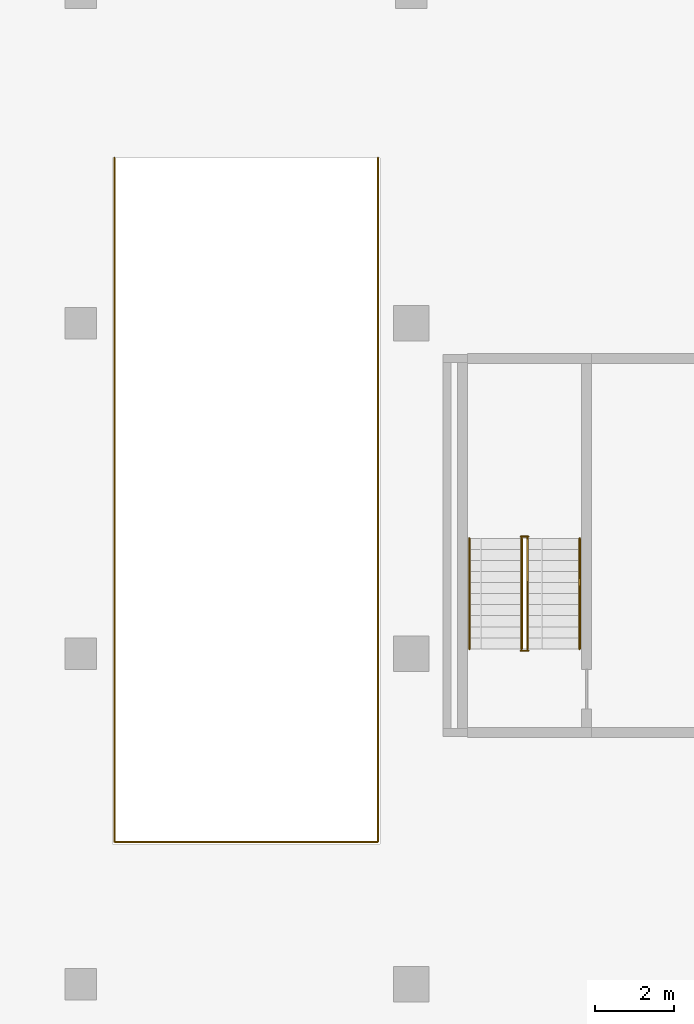
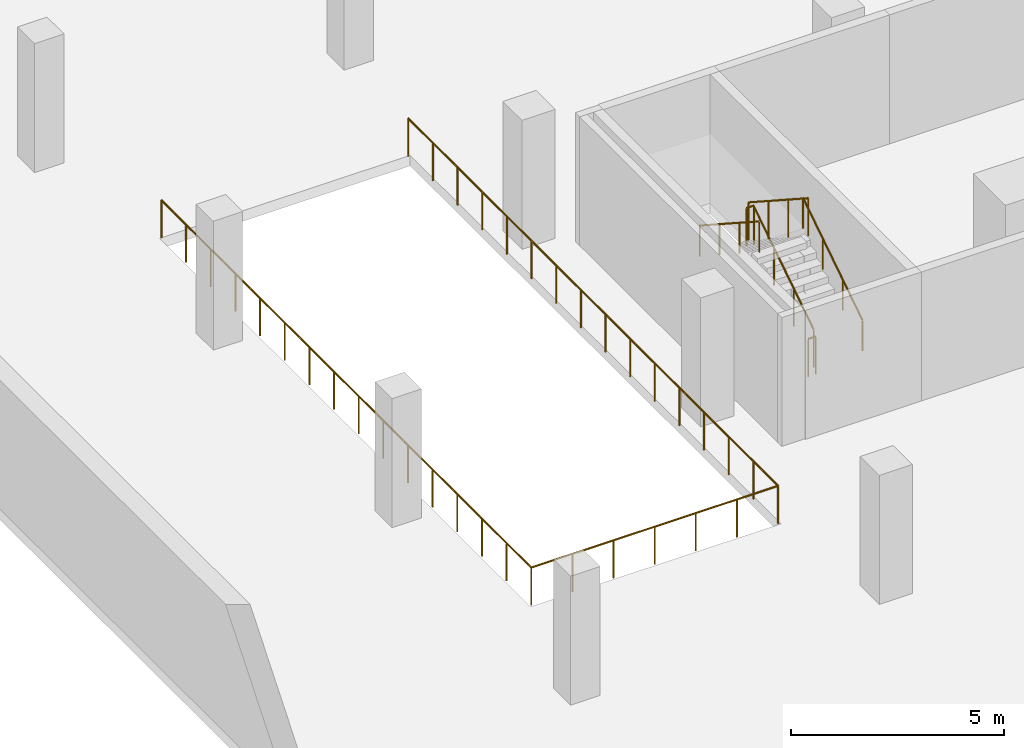
# One storey, part 17 of 18: 7 railings.
"""IFC4 building model written with IfcOpenShell, lengths in metres."""

from ifc_helpers import new_model, si_unit, direction, frame, origin, origin_2d, place, context, subcontext, project, spatial, circle, extrude, material, type_object, element, save


model = new_model("IFC4")

# Units and contexts
model_context = context("Model", 3, precision=1e-05, world=origin(), true_north=direction((0.0, 1.0)))
body_context = subcontext(model_context, "Body", "Model", "MODEL_VIEW")
ifc_project = project(units=[si_unit("LENGTHUNIT", "METRE"), si_unit("AREAUNIT", "SQUARE_METRE"), si_unit("VOLUMEUNIT", "CUBIC_METRE"), si_unit("PLANEANGLEUNIT", "RADIAN"), si_unit("MASSUNIT", "GRAM", prefix="KILO")], contexts=[model_context])

# Site, building, storey
site_placement = place(None, origin())
site = spatial("IfcSite", under=ifc_project, at=site_placement, CompositionType="ELEMENT")
building_placement = place(site_placement, origin())
building = spatial("IfcBuilding", under=site, at=building_placement, Name="Cantera Rosa Tower", CompositionType="ELEMENT")
storey_placement = place(building_placement, frame((0.0, 0.0, -9.0)))
storey = spatial("IfcBuildingStorey", under=building, at=storey_placement, Name="B2", CompositionType="ELEMENT", Elevation=-9.0)

# Railings
ifc_material_1 = material(Name="Steel S355J2 (EN 10025-2)", Category="steel")
railing_type_1 = type_object("IfcRailingType", Name="Edge guard 1100", PredefinedType="GUARDRAIL", material=ifc_material_1)
railing_1_placement = place(storey_placement, frame((-41.14990234375, 33.60009765625, 0.0)))
element("IfcRailing", 1, at=railing_1_placement, inside=storey, type_object=railing_type_1, Name="Guard round ramp opening B2", PredefinedType="GUARDRAIL", context=body_context, shape_type="SweptSolid", body=[
    extrude(circle(Radius=0.02392578125, at=origin_2d()), frame((0.0, 0.0, 1.076171875), z_axis=(0.0, -1.0, 0.0), x_axis=(1.0, 0.0, 0.0)), (0.0, 0.0, 1.0), 17.38330078125),
    extrude(circle(Radius=0.02392578125, at=origin_2d()), frame((0.0, -17.38330078125, 1.076171875), z_axis=(1.0, 0.0, 0.0), x_axis=(0.0, 1.0, 0.0)), (0.0, 0.0, 1.0), 6.699951171875),
    extrude(circle(Radius=0.02392578125, at=origin_2d()), frame((6.699951171875, -17.38330078125, 1.076171875), z_axis=(0.0, 1.0, 0.0), x_axis=(-1.0, 0.0, 0.0)), (0.0, 0.0, 1.0), 17.38330078125),
    extrude(circle(Radius=0.02099609375, at=origin_2d()), origin(), (0.0, 0.0, 1.0), 1.052001953125),
    extrude(circle(Radius=0.02099609375, at=origin_2d()), frame((0.0, -1.158935546875, 0.0)), (0.0, 0.0, 1.0), 1.052001953125),
    extrude(circle(Radius=0.02099609375, at=origin_2d()), frame((0.0, -2.31787109375, 0.0)), (0.0, 0.0, 1.0), 1.052001953125),
    extrude(circle(Radius=0.02099609375, at=origin_2d()), frame((0.0, -3.4765625, 0.0)), (0.0, 0.0, 1.0), 1.052001953125),
    extrude(circle(Radius=0.02099609375, at=origin_2d()), frame((0.0, -4.635498046875, 0.0)), (0.0, 0.0, 1.0), 1.052001953125),
    extrude(circle(Radius=0.02099609375, at=origin_2d()), frame((0.0, -5.79443359375, 0.0)), (0.0, 0.0, 1.0), 1.052001953125),
    extrude(circle(Radius=0.02099609375, at=origin_2d()), frame((0.0, -6.953369140625, 0.0)), (0.0, 0.0, 1.0), 1.052001953125),
    extrude(circle(Radius=0.02099609375, at=origin_2d()), frame((0.0, -8.1123046875, 0.0)), (0.0, 0.0, 1.0), 1.052001953125),
    extrude(circle(Radius=0.02099609375, at=origin_2d()), frame((0.0, -9.27099609375, 0.0)), (0.0, 0.0, 1.0), 1.052001953125),
    extrude(circle(Radius=0.02099609375, at=origin_2d()), frame((0.0, -10.429931640625, 0.0)), (0.0, 0.0, 1.0), 1.052001953125),
    extrude(circle(Radius=0.02099609375, at=origin_2d()), frame((0.0, -11.5888671875, 0.0)), (0.0, 0.0, 1.0), 1.052001953125),
    extrude(circle(Radius=0.02099609375, at=origin_2d()), frame((0.0, -12.747802734375, 0.0)), (0.0, 0.0, 1.0), 1.052001953125),
    extrude(circle(Radius=0.02099609375, at=origin_2d()), frame((0.0, -13.90673828125, 0.0)), (0.0, 0.0, 1.0), 1.052001953125),
    extrude(circle(Radius=0.02099609375, at=origin_2d()), frame((0.0, -15.0654296875, 0.0)), (0.0, 0.0, 1.0), 1.052001953125),
    extrude(circle(Radius=0.02099609375, at=origin_2d()), frame((0.0, -16.224365234375, 0.0)), (0.0, 0.0, 1.0), 1.052001953125),
    extrude(circle(Radius=0.02099609375, at=origin_2d()), frame((0.0, -17.38330078125, 0.0)), (0.0, 0.0, 1.0), 1.052001953125),
    extrude(circle(Radius=0.02099609375, at=origin_2d()), frame((1.11669921875, -17.38330078125, 0.0)), (0.0, 0.0, 1.0), 1.052001953125),
    extrude(circle(Radius=0.02099609375, at=origin_2d()), frame((2.2333984375, -17.38330078125, 0.0)), (0.0, 0.0, 1.0), 1.052001953125),
    extrude(circle(Radius=0.02099609375, at=origin_2d()), frame((3.35009765625, -17.38330078125, 0.0)), (0.0, 0.0, 1.0), 1.052001953125),
    extrude(circle(Radius=0.02099609375, at=origin_2d()), frame((4.466552734375, -17.38330078125, 0.0)), (0.0, 0.0, 1.0), 1.052001953125),
    extrude(circle(Radius=0.02099609375, at=origin_2d()), frame((5.583251953125, -17.38330078125, 0.0)), (0.0, 0.0, 1.0), 1.052001953125),
    extrude(circle(Radius=0.02099609375, at=origin_2d()), frame((6.699951171875, -17.38330078125, 0.0)), (0.0, 0.0, 1.0), 1.052001953125),
    extrude(circle(Radius=0.02099609375, at=origin_2d()), frame((6.699951171875, -16.224365234375, 0.0)), (0.0, 0.0, 1.0), 1.052001953125),
    extrude(circle(Radius=0.02099609375, at=origin_2d()), frame((6.699951171875, -15.0654296875, 0.0)), (0.0, 0.0, 1.0), 1.052001953125),
    extrude(circle(Radius=0.02099609375, at=origin_2d()), frame((6.699951171875, -13.90673828125, 0.0)), (0.0, 0.0, 1.0), 1.052001953125),
    extrude(circle(Radius=0.02099609375, at=origin_2d()), frame((6.699951171875, -12.747802734375, 0.0)), (0.0, 0.0, 1.0), 1.052001953125),
    extrude(circle(Radius=0.02099609375, at=origin_2d()), frame((6.699951171875, -11.5888671875, 0.0)), (0.0, 0.0, 1.0), 1.052001953125),
    extrude(circle(Radius=0.02099609375, at=origin_2d()), frame((6.699951171875, -10.429931640625, 0.0)), (0.0, 0.0, 1.0), 1.052001953125),
    extrude(circle(Radius=0.02099609375, at=origin_2d()), frame((6.699951171875, -9.27099609375, 0.0)), (0.0, 0.0, 1.0), 1.052001953125),
    extrude(circle(Radius=0.02099609375, at=origin_2d()), frame((6.699951171875, -8.1123046875, 0.0)), (0.0, 0.0, 1.0), 1.052001953125),
    extrude(circle(Radius=0.02099609375, at=origin_2d()), frame((6.699951171875, -6.953369140625, 0.0)), (0.0, 0.0, 1.0), 1.052001953125),
    extrude(circle(Radius=0.02099609375, at=origin_2d()), frame((6.699951171875, -5.79443359375, 0.0)), (0.0, 0.0, 1.0), 1.052001953125),
    extrude(circle(Radius=0.02099609375, at=origin_2d()), frame((6.699951171875, -4.635498046875, 0.0)), (0.0, 0.0, 1.0), 1.052001953125),
    extrude(circle(Radius=0.02099609375, at=origin_2d()), frame((6.699951171875, -3.4765625, 0.0)), (0.0, 0.0, 1.0), 1.052001953125),
    extrude(circle(Radius=0.02099609375, at=origin_2d()), frame((6.699951171875, -2.31787109375, 0.0)), (0.0, 0.0, 1.0), 1.052001953125),
    extrude(circle(Radius=0.02099609375, at=origin_2d()), frame((6.699951171875, -1.158935546875, 0.0)), (0.0, 0.0, 1.0), 1.052001953125),
    extrude(circle(Radius=0.02099609375, at=origin_2d()), frame((6.699951171875, 0.0, 0.0)), (0.0, 0.0, 1.0), 1.052001953125),
])
ifc_material_2 = material(Name="Steel S355J2 (EN 10025-2)", Category="steel")
railing_type_2 = type_object("IfcRailingType", Name="STAIR GUARD 1100", PredefinedType="GUARDRAIL", material=ifc_material_2)
railing_2_placement = place(storey_placement, frame((-30.65087890625, 21.125, 0.181884765625)))
element("IfcRailing", 2, at=railing_2_placement, inside=storey, type_object=railing_type_2, Name="B2 ST-NW stair guard 1", PredefinedType="GUARDRAIL", context=body_context, shape_type="SweptSolid", body=[
    extrude(circle(Radius=0.02392578125, at=origin_2d()), frame((0.0, 0.0, 1.076171875), z_axis=(0.0, 0.838705829183, 0.544584733623), x_axis=(-1.0, 0.0, 0.0)), (0.0, 0.0, 1.0), 3.338623046875),
    extrude(circle(Radius=0.02099609375, at=origin_2d()), origin(), (0.0, 0.0, 1.0), 1.052001953125),
    extrude(circle(Radius=0.02099609375, at=origin_2d()), frame((0.0, 0.933349609375, 0.60595703125)), (0.0, 0.0, 1.0), 1.052001953125),
    extrude(circle(Radius=0.02099609375, at=origin_2d()), frame((0.0, 1.86669921875, 1.212158203125)), (0.0, 0.0, 1.0), 1.052001953125),
    extrude(circle(Radius=0.02099609375, at=origin_2d()), frame((0.0, 2.800048828125, 1.818115234375)), (0.0, 0.0, 1.0), 1.052001953125),
])
railing_3_placement = place(storey_placement, frame((-30.625, 23.97509765625, 2.0)))
element("IfcRailing", 3, at=railing_3_placement, inside=storey, type_object=railing_type_2, Name="B2 ST-NW stair guard 2", PredefinedType="GUARDRAIL", context=body_context, shape_type="SweptSolid", body=[
    extrude(circle(Radius=0.02392578125, at=origin_2d()), frame((0.0, 0.0, 1.076171875), z_axis=(-1.0, 0.0, 0.0), x_axis=(0.0, -1.0, 0.0)), (0.0, 0.0, 1.0), 0.199951171875),
    extrude(circle(Radius=0.02099609375, at=origin_2d()), origin(), (0.0, 0.0, 1.0), 1.052001953125),
    extrude(circle(Radius=0.02099609375, at=origin_2d()), frame((-0.199951171875, 0.0, 0.0)), (0.0, 0.0, 1.0), 1.052001953125),
])
railing_4_placement = place(storey_placement, frame((-30.799072265625, 23.925048828125, 2.181884765625)))
element("IfcRailing", 4, at=railing_4_placement, inside=storey, type_object=railing_type_2, Name="B2 ST-NW stair guard 3", PredefinedType="GUARDRAIL", context=body_context, shape_type="SweptSolid", body=[
    extrude(circle(Radius=0.02392578125, at=origin_2d()), frame((0.0, 0.0, 1.076171875), z_axis=(0.0, -0.838705829183, 0.544584733623), x_axis=(1.0, 0.0, 0.0)), (0.0, 0.0, 1.0), 3.338623046875),
    extrude(circle(Radius=0.02099609375, at=origin_2d()), origin(), (0.0, 0.0, 1.0), 1.052001953125),
    extrude(circle(Radius=0.02099609375, at=origin_2d()), frame((0.0, -0.933349609375, 0.60595703125)), (0.0, 0.0, 1.0), 1.052001953125),
    extrude(circle(Radius=0.02099609375, at=origin_2d()), frame((0.0, -1.86669921875, 1.212158203125)), (0.0, 0.0, 1.0), 1.052001953125),
    extrude(circle(Radius=0.02099609375, at=origin_2d()), frame((0.0, -2.800048828125, 1.818115234375)), (0.0, 0.0, 1.0), 1.052001953125),
])
railing_5_placement = place(storey_placement, frame((-30.625, 21.074951171875, 0.0)))
element("IfcRailing", 5, at=railing_5_placement, inside=storey, type_object=railing_type_2, Name="B2 ST-NW stair guard 4", PredefinedType="GUARDRAIL", context=body_context, shape_type="SweptSolid", body=[
    extrude(circle(Radius=0.02392578125, at=origin_2d()), frame((0.0, 0.0, 1.076171875), z_axis=(-1.0, 0.0, 0.0), x_axis=(0.0, -1.0, 0.0)), (0.0, 0.0, 1.0), 0.199951171875),
    extrude(circle(Radius=0.02099609375, at=origin_2d()), origin(), (0.0, 0.0, 1.0), 1.052001953125),
    extrude(circle(Radius=0.02099609375, at=origin_2d()), frame((-0.199951171875, 0.0, 0.0)), (0.0, 0.0, 1.0), 1.052001953125),
])
ifc_material_3 = material(Name="Steel S355J2 (EN 10025-2)", Category="steel")
railing_type_3 = type_object("IfcRailingType", Name="STAIR HANDRAIL 900", PredefinedType="HANDRAIL", material=ifc_material_3)
railing_6_placement = place(storey_placement, frame((-29.324951171875, 21.125, 0.181884765625)))
element("IfcRailing", 6, at=railing_6_placement, inside=storey, type_object=railing_type_3, Name="B2 ST-NW stair handrail 1", PredefinedType="HANDRAIL", context=body_context, shape_type="SweptSolid", body=[
    extrude(circle(Radius=0.02392578125, at=origin_2d()), frame((0.0, 0.0, 0.8759765625), z_axis=(0.0, 0.838705829183, 0.544584733623), x_axis=(-1.0, 0.0, 0.0)), (0.0, 0.0, 1.0), 3.338623046875),
    extrude(circle(Radius=0.02099609375, at=origin_2d()), origin(), (0.0, 0.0, 1.0), 0.851806640625),
    extrude(circle(Radius=0.02099609375, at=origin_2d()), frame((0.0, 0.933349609375, 0.60595703125)), (0.0, 0.0, 1.0), 0.851806640625),
    extrude(circle(Radius=0.02099609375, at=origin_2d()), frame((0.0, 1.86669921875, 1.212158203125)), (0.0, 0.0, 1.0), 0.851806640625),
    extrude(circle(Radius=0.02099609375, at=origin_2d()), frame((0.0, 2.800048828125, 1.818115234375)), (0.0, 0.0, 1.0), 0.851806640625),
])
railing_7_placement = place(storey_placement, frame((-32.125, 23.925048828125, 2.181884765625)))
element("IfcRailing", 7, at=railing_7_placement, inside=storey, type_object=railing_type_3, Name="B2 ST-NW stair handrail 2", PredefinedType="HANDRAIL", context=body_context, shape_type="SweptSolid", body=[
    extrude(circle(Radius=0.02392578125, at=origin_2d()), frame((0.0, 0.0, 0.8759765625), z_axis=(0.0, -0.838705829183, 0.544584733623), x_axis=(1.0, 0.0, 0.0)), (0.0, 0.0, 1.0), 3.338623046875),
    extrude(circle(Radius=0.02099609375, at=origin_2d()), origin(), (0.0, 0.0, 1.0), 0.851806640625),
    extrude(circle(Radius=0.02099609375, at=origin_2d()), frame((0.0, -0.933349609375, 0.60595703125)), (0.0, 0.0, 1.0), 0.851806640625),
    extrude(circle(Radius=0.02099609375, at=origin_2d()), frame((0.0, -1.86669921875, 1.212158203125)), (0.0, 0.0, 1.0), 0.851806640625),
    extrude(circle(Radius=0.02099609375, at=origin_2d()), frame((0.0, -2.800048828125, 1.818115234375)), (0.0, 0.0, 1.0), 0.851806640625),
])

save(model, "model.ifc")
